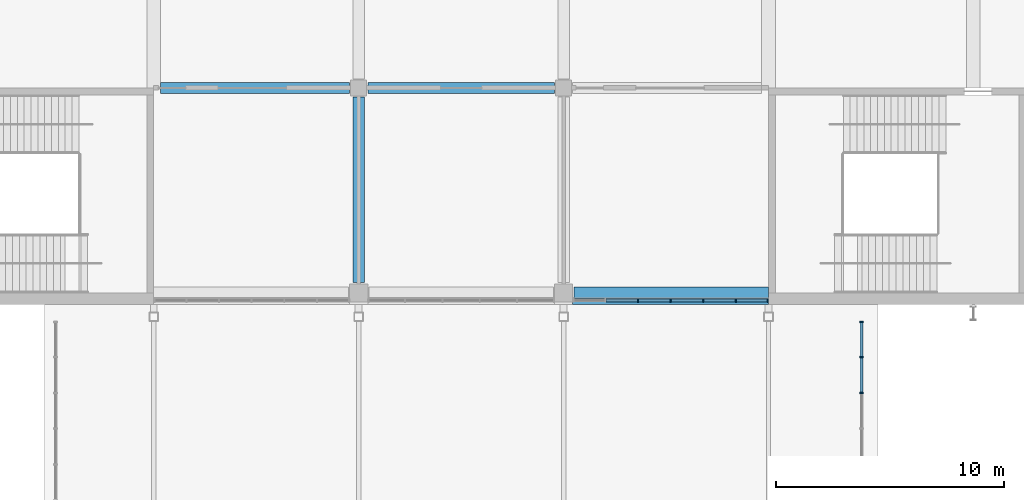
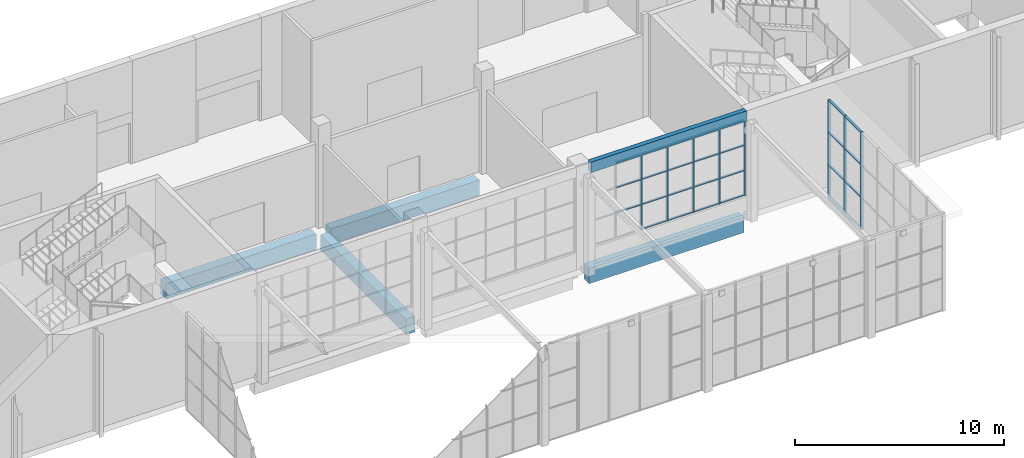
# One storey, part 12 of 89: 35 members, 5 beams, 2 elements without a shape of their own.
"""IFC4 building model written with IfcOpenShell, lengths in metres."""

from ifc_helpers import new_model, si_unit, direction, frame, origin, origin_2d, place, context, subcontext, project, spatial, rectangle, extrude, material, material_profile, profile_set, type_object, element, aggregate, save


model = new_model("IFC4")

# Units and contexts
model_context = context("Model", 3, precision=1e-05, world=origin(), true_north=direction((0.0, 1.0)))
body_context = subcontext(model_context, "Body", "Model", "MODEL_VIEW")
ifc_project = project(units=[si_unit("LENGTHUNIT", "METRE"), si_unit("AREAUNIT", "SQUARE_METRE"), si_unit("VOLUMEUNIT", "CUBIC_METRE"), si_unit("PLANEANGLEUNIT", "RADIAN"), si_unit("MASSUNIT", "GRAM", prefix="KILO")], contexts=[model_context])

# Site, building, storey
site_placement = place(None, origin())
site = spatial("IfcSite", under=ifc_project, at=site_placement, CompositionType="ELEMENT")
building_placement = place(site_placement, origin())
building = spatial("IfcBuilding", under=site, at=building_placement, Name="Silverbay Arena", CompositionType="ELEMENT")
storey_placement = place(building_placement, frame((0.0, 0.0, 22.0)))
storey = spatial("IfcBuildingStorey", under=building, at=storey_placement, Name="L03", CompositionType="ELEMENT", Elevation=22.0)

# Curtain wall, members
ifc_material_1 = material(Name="Aluminium framed curtain wall", Category="aluminium")
curtain_wall_type_1 = type_object("IfcCurtainWallType", Name="Curtain wall 8600 x 4400", PredefinedType="NOTDEFINED", material=ifc_material_1)
curtain_wall_1_placement = place(storey_placement, origin())
curtain_wall_1 = element("IfcCurtainWall", 1, at=curtain_wall_1_placement, inside=storey, type_object=curtain_wall_type_1, Name="South curtain wall L03 bay 10", PredefinedType="NOTDEFINED")
ifc_material_2 = material(Name="Aluminium", Category="aluminium")
ifc_material_profile_1 = material_profile(ifc_material_2, rectangle(XDim=0.159912109375, YDim=0.06005859375, at=origin_2d()), Name="Mullion 60 x 160")
ifc_profile_set_1 = profile_set([ifc_material_profile_1], Name="Aluminium")
member_type_1 = type_object("IfcMemberType", Name="Mullion 60 x 160", PredefinedType="MULLION", material=ifc_profile_set_1)
member_1_placement = place(storey_placement, frame((138.2666015625, 17.669921875, 1.0), z_axis=(0.0, 0.0, 1.0), x_axis=(0.0, 1.0, 0.0)))
member_1 = element("IfcMember", 2, at=member_1_placement, type_object=member_type_1, Name="CW12 mullion 3", PredefinedType="MULLION", context=body_context, shape_type="SweptSolid", body=[
    extrude(rectangle(XDim=0.159912109375, YDim=0.06005859375, at=origin_2d()), origin(), (0.0, 0.0, 1.0), 4.39990234375),
])
member_2_placement = place(storey_placement, frame((139.699951171875, 17.669921875, 1.0), z_axis=(0.0, 0.0, 1.0), x_axis=(0.0, 1.0, 0.0)))
member_2 = element("IfcMember", 3, at=member_2_placement, type_object=member_type_1, Name="CW12 mullion 4", PredefinedType="MULLION", context=body_context, shape_type="SweptSolid", body=[
    extrude(rectangle(XDim=0.159912109375, YDim=0.06005859375, at=origin_2d()), origin(), (0.0, 0.0, 1.0), 4.39990234375),
])
member_3_placement = place(storey_placement, frame((141.13330078125, 17.669921875, 1.0), z_axis=(0.0, 0.0, 1.0), x_axis=(0.0, 1.0, 0.0)))
member_3 = element("IfcMember", 4, at=member_3_placement, type_object=member_type_1, Name="CW12 mullion 5", PredefinedType="MULLION", context=body_context, shape_type="SweptSolid", body=[
    extrude(rectangle(XDim=0.159912109375, YDim=0.06005859375, at=origin_2d()), origin(), (0.0, 0.0, 1.0), 4.39990234375),
])
member_4_placement = place(storey_placement, frame((142.566650390625, 17.669921875, 1.0), z_axis=(0.0, 0.0, 1.0), x_axis=(0.0, 1.0, 0.0)))
member_4 = element("IfcMember", 5, at=member_4_placement, type_object=member_type_1, Name="CW12 mullion 6", PredefinedType="MULLION", context=body_context, shape_type="SweptSolid", body=[
    extrude(rectangle(XDim=0.159912109375, YDim=0.06005859375, at=origin_2d()), origin(), (0.0, 0.0, 1.0), 4.39990234375),
])
member_5_placement = place(storey_placement, frame((143.969970703125, 17.669921875, 1.0), z_axis=(0.0, 0.0, 1.0), x_axis=(0.0, 1.0, 0.0)))
member_5 = element("IfcMember", 6, at=member_5_placement, type_object=member_type_1, Name="CW12 mullion 7", PredefinedType="MULLION", context=body_context, shape_type="SweptSolid", body=[
    extrude(rectangle(XDim=0.159912109375, YDim=0.06005859375, at=origin_2d()), origin(), (0.0, 0.0, 1.0), 4.39990234375),
])

ifc_material_3 = material(Name="Aluminium framed curtain wall", Category="aluminium")
curtain_wall_type_2 = type_object("IfcCurtainWallType", Name="Curtain wall 11000 x 5700", PredefinedType="NOTDEFINED", material=ifc_material_3)
curtain_wall_2_placement = place(storey_placement, origin())
curtain_wall_2 = element("IfcCurtainWall", 7, at=curtain_wall_2_placement, inside=storey, type_object=curtain_wall_type_2, Name="South entrance hall S1 glazing SB", PredefinedType="NOTDEFINED")
member_6_placement = place(storey_placement, frame((148.090087890625, 13.607177734375, 0.0), z_axis=(0.0, 0.0, 1.0), x_axis=(-1.0, 0.0, 0.0)))
member_6 = element("IfcMember", 8, at=member_6_placement, type_object=member_type_1, Name="CW38 mullion 6", PredefinedType="MULLION", context=body_context, shape_type="SweptSolid", body=[
    extrude(rectangle(XDim=0.159912109375, YDim=0.06005859375, at=origin_2d()), origin(), (0.0, 0.0, 1.0), 5.699951171875),
])
member_7_placement = place(storey_placement, frame((148.090087890625, 15.178466796875, 0.0), z_axis=(0.0, 0.0, 1.0), x_axis=(-1.0, 0.0, 0.0)))
member_7 = element("IfcMember", 9, at=member_7_placement, type_object=member_type_1, Name="CW38 mullion 7", PredefinedType="MULLION", context=body_context, shape_type="SweptSolid", body=[
    extrude(rectangle(XDim=0.159912109375, YDim=0.06005859375, at=origin_2d()), origin(), (0.0, 0.0, 1.0), 5.699951171875),
])
member_8_placement = place(storey_placement, frame((148.090087890625, 16.719970703125, 0.0), z_axis=(0.0, 0.0, 1.0), x_axis=(-1.0, 0.0, 0.0)))
member_8 = element("IfcMember", 10, at=member_8_placement, type_object=member_type_1, Name="CW38 mullion 8", PredefinedType="MULLION", context=body_context, shape_type="SweptSolid", body=[
    extrude(rectangle(XDim=0.159912109375, YDim=0.06005859375, at=origin_2d()), origin(), (0.0, 0.0, 1.0), 5.699951171875),
])

# Beams
ifc_material_4 = material(Name="Concrete Grade C45", Category="concrete")
ifc_material_profile_2 = material_profile(ifc_material_4, rectangle(XDim=0.5, YDim=0.89990234375, at=origin_2d()), Name="RC 500x900")
ifc_profile_set_2 = profile_set([ifc_material_profile_2], Name="Concrete Grade C45")
beam_type_1 = type_object("IfcBeamType", Name="RC beam 500x900", PredefinedType="BEAM", material=ifc_profile_set_2)
beam_1_placement = place(storey_placement, frame((135.449951171875, 18.0, -0.800048828125), z_axis=(1.0, 0.0, 0.0), x_axis=(0.0, 1.0, 0.0)))
element("IfcBeam", 11, at=beam_1_placement, inside=storey, type_object=beam_type_1, Name="Floor beam L03 004", PredefinedType="BEAM", context=body_context, shape_type="SweptSolid", body=[
    extrude(rectangle(XDim=0.5, YDim=0.89990234375, at=origin_2d()), origin(), (0.0, 0.0, 1.0), 8.550048828125),
])
beam_2_placement = place(storey_placement, frame((117.300048828125, 27.0, -0.800048828125), z_axis=(1.0, 0.0, 0.0), x_axis=(0.0, 1.0, 0.0)))
element("IfcBeam", 12, at=beam_2_placement, inside=storey, type_object=beam_type_1, Name="Floor beam L03 007", PredefinedType="BEAM", context=body_context, shape_type="SweptSolid", body=[
    extrude(rectangle(XDim=0.5, YDim=0.89990234375, at=origin_2d()), origin(), (0.0, 0.0, 1.0), 8.300048828125),
])
beam_3_placement = place(storey_placement, frame((126.39990234375, 27.0, -0.800048828125), z_axis=(1.0, 0.0, 0.0), x_axis=(0.0, 1.0, 0.0)))
element("IfcBeam", 13, at=beam_3_placement, inside=storey, type_object=beam_type_1, Name="Floor beam L03 008", PredefinedType="BEAM", context=body_context, shape_type="SweptSolid", body=[
    extrude(rectangle(XDim=0.5, YDim=0.89990234375, at=origin_2d()), origin(), (0.0, 0.0, 1.0), 8.2001953125),
])
beam_4_placement = place(storey_placement, frame((126.0, 18.449951171875, -0.800048828125), z_axis=(0.0, 1.0, 0.0), x_axis=(-1.0, 0.0, 0.0)))
element("IfcBeam", 14, at=beam_4_placement, inside=storey, type_object=beam_type_1, Name="Floor beam L03 125", PredefinedType="BEAM", context=body_context, shape_type="SweptSolid", body=[
    extrude(rectangle(XDim=0.5, YDim=0.89990234375, at=origin_2d()), origin(), (0.0, 0.0, 1.0), 8.150146484375),
])
ifc_material_5 = material(Name="Concrete Grade C45", Category="concrete")
ifc_material_profile_3 = material_profile(ifc_material_5, rectangle(XDim=0.25, YDim=0.60009765625, at=origin_2d()), Name="RC 250x600")
ifc_profile_set_3 = profile_set([ifc_material_profile_3], Name="Concrete Grade C45")
beam_type_2 = type_object("IfcBeamType", Name="RC facade beam 250x600", PredefinedType="SPANDREL", material=ifc_profile_set_3)
beam_5_placement = place(storey_placement, frame((135.39990234375, 17.625, 5.699951171875), z_axis=(1.0, 0.0, 0.0), x_axis=(0.0, 1.0, 0.0)))
element("IfcBeam", 15, at=beam_5_placement, inside=storey, type_object=beam_type_2, Name="Facade beam L03 south", PredefinedType="SPANDREL", context=body_context, shape_type="SweptSolid", body=[
    extrude(rectangle(XDim=0.25, YDim=0.60009765625, at=origin_2d()), origin(), (0.0, 0.0, 1.0), 8.60009765625),
])

# Member
ifc_material_6 = material(Name="Aluminium", Category="aluminium")
ifc_material_profile_4 = material_profile(ifc_material_6, rectangle(XDim=0.1201171875, YDim=0.050048828125, at=origin_2d()), Name="Transom 50 x 120")
ifc_profile_set_4 = profile_set([ifc_material_profile_4], Name="Aluminium")
member_type_2 = type_object("IfcMemberType", Name="Transom 50 x 120", PredefinedType="USERDEFINED", material=ifc_profile_set_4)
member_9_placement = place(storey_placement, frame((136.86328125, 17.669921875, 2.466552734375), z_axis=(1.0, 0.0, 0.0), x_axis=(0.0, 1.0, 0.0)))
member_9 = element("IfcMember", 16, at=member_9_placement, type_object=member_type_2, Name="CW12 transom 2.2", ObjectType="TRANSOM", PredefinedType="USERDEFINED", context=body_context, shape_type="SweptSolid", body=[
    extrude(rectangle(XDim=0.1201171875, YDim=0.050048828125, at=origin_2d()), origin(), (0.0, 0.0, 1.0), 1.373291015625),
])

member_10_placement = place(storey_placement, frame((136.86328125, 17.669921875, 3.933349609375), z_axis=(1.0, 0.0, 0.0), x_axis=(0.0, 1.0, 0.0)))
member_10 = element("IfcMember", 17, at=member_10_placement, type_object=member_type_2, Name="CW12 transom 2.3", ObjectType="TRANSOM", PredefinedType="USERDEFINED", context=body_context, shape_type="SweptSolid", body=[
    extrude(rectangle(XDim=0.1201171875, YDim=0.050048828125, at=origin_2d()), origin(), (0.0, 0.0, 1.0), 1.373291015625),
])

member_11_placement = place(storey_placement, frame((136.86328125, 17.669921875, 5.375), z_axis=(1.0, 0.0, 0.0), x_axis=(0.0, 1.0, 0.0)))
member_11 = element("IfcMember", 18, at=member_11_placement, type_object=member_type_2, Name="CW12 transom 2.4", ObjectType="TRANSOM", PredefinedType="USERDEFINED", context=body_context, shape_type="SweptSolid", body=[
    extrude(rectangle(XDim=0.1201171875, YDim=0.050048828125, at=origin_2d()), origin(), (0.0, 0.0, 1.0), 1.373291015625),
])

member_12_placement = place(storey_placement, frame((138.296630859375, 17.669921875, 1.02490234375), z_axis=(1.0, 0.0, 0.0), x_axis=(0.0, 1.0, 0.0)))
member_12 = element("IfcMember", 19, at=member_12_placement, type_object=member_type_2, Name="CW12 transom 3.1", ObjectType="TRANSOM", PredefinedType="USERDEFINED", context=body_context, shape_type="SweptSolid", body=[
    extrude(rectangle(XDim=0.1201171875, YDim=0.050048828125, at=origin_2d()), origin(), (0.0, 0.0, 1.0), 1.373291015625),
])

member_13_placement = place(storey_placement, frame((138.296630859375, 17.669921875, 2.466552734375), z_axis=(1.0, 0.0, 0.0), x_axis=(0.0, 1.0, 0.0)))
member_13 = element("IfcMember", 20, at=member_13_placement, type_object=member_type_2, Name="CW12 transom 3.2", ObjectType="TRANSOM", PredefinedType="USERDEFINED", context=body_context, shape_type="SweptSolid", body=[
    extrude(rectangle(XDim=0.1201171875, YDim=0.050048828125, at=origin_2d()), origin(), (0.0, 0.0, 1.0), 1.373291015625),
])

member_14_placement = place(storey_placement, frame((138.296630859375, 17.669921875, 3.933349609375), z_axis=(1.0, 0.0, 0.0), x_axis=(0.0, 1.0, 0.0)))
member_14 = element("IfcMember", 21, at=member_14_placement, type_object=member_type_2, Name="CW12 transom 3.3", ObjectType="TRANSOM", PredefinedType="USERDEFINED", context=body_context, shape_type="SweptSolid", body=[
    extrude(rectangle(XDim=0.1201171875, YDim=0.050048828125, at=origin_2d()), origin(), (0.0, 0.0, 1.0), 1.373291015625),
])

member_15_placement = place(storey_placement, frame((138.296630859375, 17.669921875, 5.375), z_axis=(1.0, 0.0, 0.0), x_axis=(0.0, 1.0, 0.0)))
member_15 = element("IfcMember", 22, at=member_15_placement, type_object=member_type_2, Name="CW12 transom 3.4", ObjectType="TRANSOM", PredefinedType="USERDEFINED", context=body_context, shape_type="SweptSolid", body=[
    extrude(rectangle(XDim=0.1201171875, YDim=0.050048828125, at=origin_2d()), origin(), (0.0, 0.0, 1.0), 1.373291015625),
])

member_16_placement = place(storey_placement, frame((139.72998046875, 17.669921875, 1.02490234375), z_axis=(1.0, 0.0, 0.0), x_axis=(0.0, 1.0, 0.0)))
member_16 = element("IfcMember", 23, at=member_16_placement, type_object=member_type_2, Name="CW12 transom 4.1", ObjectType="TRANSOM", PredefinedType="USERDEFINED", context=body_context, shape_type="SweptSolid", body=[
    extrude(rectangle(XDim=0.1201171875, YDim=0.050048828125, at=origin_2d()), origin(), (0.0, 0.0, 1.0), 1.373291015625),
])

member_17_placement = place(storey_placement, frame((139.72998046875, 17.669921875, 2.466552734375), z_axis=(1.0, 0.0, 0.0), x_axis=(0.0, 1.0, 0.0)))
member_17 = element("IfcMember", 24, at=member_17_placement, type_object=member_type_2, Name="CW12 transom 4.2", ObjectType="TRANSOM", PredefinedType="USERDEFINED", context=body_context, shape_type="SweptSolid", body=[
    extrude(rectangle(XDim=0.1201171875, YDim=0.050048828125, at=origin_2d()), origin(), (0.0, 0.0, 1.0), 1.373291015625),
])

member_18_placement = place(storey_placement, frame((139.72998046875, 17.669921875, 3.933349609375), z_axis=(1.0, 0.0, 0.0), x_axis=(0.0, 1.0, 0.0)))
member_18 = element("IfcMember", 25, at=member_18_placement, type_object=member_type_2, Name="CW12 transom 4.3", ObjectType="TRANSOM", PredefinedType="USERDEFINED", context=body_context, shape_type="SweptSolid", body=[
    extrude(rectangle(XDim=0.1201171875, YDim=0.050048828125, at=origin_2d()), origin(), (0.0, 0.0, 1.0), 1.373291015625),
])

member_19_placement = place(storey_placement, frame((139.72998046875, 17.669921875, 5.375), z_axis=(1.0, 0.0, 0.0), x_axis=(0.0, 1.0, 0.0)))
member_19 = element("IfcMember", 26, at=member_19_placement, type_object=member_type_2, Name="CW12 transom 4.4", ObjectType="TRANSOM", PredefinedType="USERDEFINED", context=body_context, shape_type="SweptSolid", body=[
    extrude(rectangle(XDim=0.1201171875, YDim=0.050048828125, at=origin_2d()), origin(), (0.0, 0.0, 1.0), 1.373291015625),
])

member_20_placement = place(storey_placement, frame((141.163330078125, 17.669921875, 1.02490234375), z_axis=(1.0, 0.0, 0.0), x_axis=(0.0, 1.0, 0.0)))
member_20 = element("IfcMember", 27, at=member_20_placement, type_object=member_type_2, Name="CW12 transom 5.1", ObjectType="TRANSOM", PredefinedType="USERDEFINED", context=body_context, shape_type="SweptSolid", body=[
    extrude(rectangle(XDim=0.1201171875, YDim=0.050048828125, at=origin_2d()), origin(), (0.0, 0.0, 1.0), 1.373291015625),
])

member_21_placement = place(storey_placement, frame((141.163330078125, 17.669921875, 2.466552734375), z_axis=(1.0, 0.0, 0.0), x_axis=(0.0, 1.0, 0.0)))
member_21 = element("IfcMember", 28, at=member_21_placement, type_object=member_type_2, Name="CW12 transom 5.2", ObjectType="TRANSOM", PredefinedType="USERDEFINED", context=body_context, shape_type="SweptSolid", body=[
    extrude(rectangle(XDim=0.1201171875, YDim=0.050048828125, at=origin_2d()), origin(), (0.0, 0.0, 1.0), 1.373291015625),
])

member_22_placement = place(storey_placement, frame((141.163330078125, 17.669921875, 3.933349609375), z_axis=(1.0, 0.0, 0.0), x_axis=(0.0, 1.0, 0.0)))
member_22 = element("IfcMember", 29, at=member_22_placement, type_object=member_type_2, Name="CW12 transom 5.3", ObjectType="TRANSOM", PredefinedType="USERDEFINED", context=body_context, shape_type="SweptSolid", body=[
    extrude(rectangle(XDim=0.1201171875, YDim=0.050048828125, at=origin_2d()), origin(), (0.0, 0.0, 1.0), 1.373291015625),
])

member_23_placement = place(storey_placement, frame((141.163330078125, 17.669921875, 5.375), z_axis=(1.0, 0.0, 0.0), x_axis=(0.0, 1.0, 0.0)))
member_23 = element("IfcMember", 30, at=member_23_placement, type_object=member_type_2, Name="CW12 transom 5.4", ObjectType="TRANSOM", PredefinedType="USERDEFINED", context=body_context, shape_type="SweptSolid", body=[
    extrude(rectangle(XDim=0.1201171875, YDim=0.050048828125, at=origin_2d()), origin(), (0.0, 0.0, 1.0), 1.373291015625),
])

member_24_placement = place(storey_placement, frame((142.5966796875, 17.669921875, 1.02490234375), z_axis=(1.0, 0.0, 0.0), x_axis=(0.0, 1.0, 0.0)))
member_24 = element("IfcMember", 31, at=member_24_placement, type_object=member_type_2, Name="CW12 transom 6.1", ObjectType="TRANSOM", PredefinedType="USERDEFINED", context=body_context, shape_type="SweptSolid", body=[
    extrude(rectangle(XDim=0.1201171875, YDim=0.050048828125, at=origin_2d()), origin(), (0.0, 0.0, 1.0), 1.34326171875),
])

member_25_placement = place(storey_placement, frame((142.5966796875, 17.669921875, 2.466552734375), z_axis=(1.0, 0.0, 0.0), x_axis=(0.0, 1.0, 0.0)))
member_25 = element("IfcMember", 32, at=member_25_placement, type_object=member_type_2, Name="CW12 transom 6.2", ObjectType="TRANSOM", PredefinedType="USERDEFINED", context=body_context, shape_type="SweptSolid", body=[
    extrude(rectangle(XDim=0.1201171875, YDim=0.050048828125, at=origin_2d()), origin(), (0.0, 0.0, 1.0), 1.34326171875),
])

member_26_placement = place(storey_placement, frame((142.5966796875, 17.669921875, 3.933349609375), z_axis=(1.0, 0.0, 0.0), x_axis=(0.0, 1.0, 0.0)))
member_26 = element("IfcMember", 33, at=member_26_placement, type_object=member_type_2, Name="CW12 transom 6.3", ObjectType="TRANSOM", PredefinedType="USERDEFINED", context=body_context, shape_type="SweptSolid", body=[
    extrude(rectangle(XDim=0.1201171875, YDim=0.050048828125, at=origin_2d()), origin(), (0.0, 0.0, 1.0), 1.34326171875),
])

member_27_placement = place(storey_placement, frame((142.5966796875, 17.669921875, 5.375), z_axis=(1.0, 0.0, 0.0), x_axis=(0.0, 1.0, 0.0)))
member_27 = element("IfcMember", 34, at=member_27_placement, type_object=member_type_2, Name="CW12 transom 6.4", ObjectType="TRANSOM", PredefinedType="USERDEFINED", context=body_context, shape_type="SweptSolid", body=[
    extrude(rectangle(XDim=0.1201171875, YDim=0.050048828125, at=origin_2d()), origin(), (0.0, 0.0, 1.0), 1.34326171875),
])

aggregate(curtain_wall_1, [member_1, member_2, member_3, member_4, member_5, member_9, member_10, member_11, member_12, member_13, member_14, member_15, member_16, member_17, member_18, member_19, member_20, member_21, member_22, member_23, member_24, member_25, member_26, member_27])

member_28_placement = place(storey_placement, frame((148.090087890625, 13.63720703125, 0.02490234375), z_axis=(0.0, 1.0, 0.0), x_axis=(-1.0, 0.0, 0.0)))
member_28 = element("IfcMember", 35, at=member_28_placement, type_object=member_type_2, Name="CW38 transom 6.1", ObjectType="TRANSOM", PredefinedType="USERDEFINED", context=body_context, shape_type="SweptSolid", body=[
    extrude(rectangle(XDim=0.1201171875, YDim=0.050048828125, at=origin_2d()), origin(), (0.0, 0.0, 1.0), 1.511474609375),
])

member_29_placement = place(storey_placement, frame((148.090087890625, 13.63720703125, 1.89990234375), z_axis=(0.0, 1.0, 0.0), x_axis=(-1.0, 0.0, 0.0)))
member_29 = element("IfcMember", 36, at=member_29_placement, type_object=member_type_2, Name="CW38 transom 6.2", ObjectType="TRANSOM", PredefinedType="USERDEFINED", context=body_context, shape_type="SweptSolid", body=[
    extrude(rectangle(XDim=0.1201171875, YDim=0.050048828125, at=origin_2d()), origin(), (0.0, 0.0, 1.0), 1.511474609375),
])

member_30_placement = place(storey_placement, frame((148.090087890625, 13.63720703125, 3.800048828125), z_axis=(0.0, 1.0, 0.0), x_axis=(-1.0, 0.0, 0.0)))
member_30 = element("IfcMember", 37, at=member_30_placement, type_object=member_type_2, Name="CW38 transom 6.3", ObjectType="TRANSOM", PredefinedType="USERDEFINED", context=body_context, shape_type="SweptSolid", body=[
    extrude(rectangle(XDim=0.1201171875, YDim=0.050048828125, at=origin_2d()), origin(), (0.0, 0.0, 1.0), 1.511474609375),
])

member_31_placement = place(storey_placement, frame((148.090087890625, 13.63720703125, 5.675048828125), z_axis=(0.0, 1.0, 0.0), x_axis=(-1.0, 0.0, 0.0)))
member_31 = element("IfcMember", 38, at=member_31_placement, type_object=member_type_2, Name="CW38 transom 6.4", ObjectType="TRANSOM", PredefinedType="USERDEFINED", context=body_context, shape_type="SweptSolid", body=[
    extrude(rectangle(XDim=0.1201171875, YDim=0.050048828125, at=origin_2d()), origin(), (0.0, 0.0, 1.0), 1.511474609375),
])

member_32_placement = place(storey_placement, frame((148.090087890625, 15.20849609375, 0.02490234375), z_axis=(0.0, 1.0, 0.0), x_axis=(-1.0, 0.0, 0.0)))
member_32 = element("IfcMember", 39, at=member_32_placement, type_object=member_type_2, Name="CW38 transom 7.1", ObjectType="TRANSOM", PredefinedType="USERDEFINED", context=body_context, shape_type="SweptSolid", body=[
    extrude(rectangle(XDim=0.1201171875, YDim=0.050048828125, at=origin_2d()), origin(), (0.0, 0.0, 1.0), 1.4814453125),
])

member_33_placement = place(storey_placement, frame((148.090087890625, 15.20849609375, 1.89990234375), z_axis=(0.0, 1.0, 0.0), x_axis=(-1.0, 0.0, 0.0)))
member_33 = element("IfcMember", 40, at=member_33_placement, type_object=member_type_2, Name="CW38 transom 7.2", ObjectType="TRANSOM", PredefinedType="USERDEFINED", context=body_context, shape_type="SweptSolid", body=[
    extrude(rectangle(XDim=0.1201171875, YDim=0.050048828125, at=origin_2d()), origin(), (0.0, 0.0, 1.0), 1.4814453125),
])

member_34_placement = place(storey_placement, frame((148.090087890625, 15.20849609375, 3.800048828125), z_axis=(0.0, 1.0, 0.0), x_axis=(-1.0, 0.0, 0.0)))
member_34 = element("IfcMember", 41, at=member_34_placement, type_object=member_type_2, Name="CW38 transom 7.3", ObjectType="TRANSOM", PredefinedType="USERDEFINED", context=body_context, shape_type="SweptSolid", body=[
    extrude(rectangle(XDim=0.1201171875, YDim=0.050048828125, at=origin_2d()), origin(), (0.0, 0.0, 1.0), 1.4814453125),
])

member_35_placement = place(storey_placement, frame((148.090087890625, 15.20849609375, 5.675048828125), z_axis=(0.0, 1.0, 0.0), x_axis=(-1.0, 0.0, 0.0)))
member_35 = element("IfcMember", 42, at=member_35_placement, type_object=member_type_2, Name="CW38 transom 7.4", ObjectType="TRANSOM", PredefinedType="USERDEFINED", context=body_context, shape_type="SweptSolid", body=[
    extrude(rectangle(XDim=0.1201171875, YDim=0.050048828125, at=origin_2d()), origin(), (0.0, 0.0, 1.0), 1.4814453125),
])

aggregate(curtain_wall_2, [member_6, member_7, member_8, member_28, member_29, member_30, member_31, member_32, member_33, member_34, member_35])

save(model, "model.ifc")
